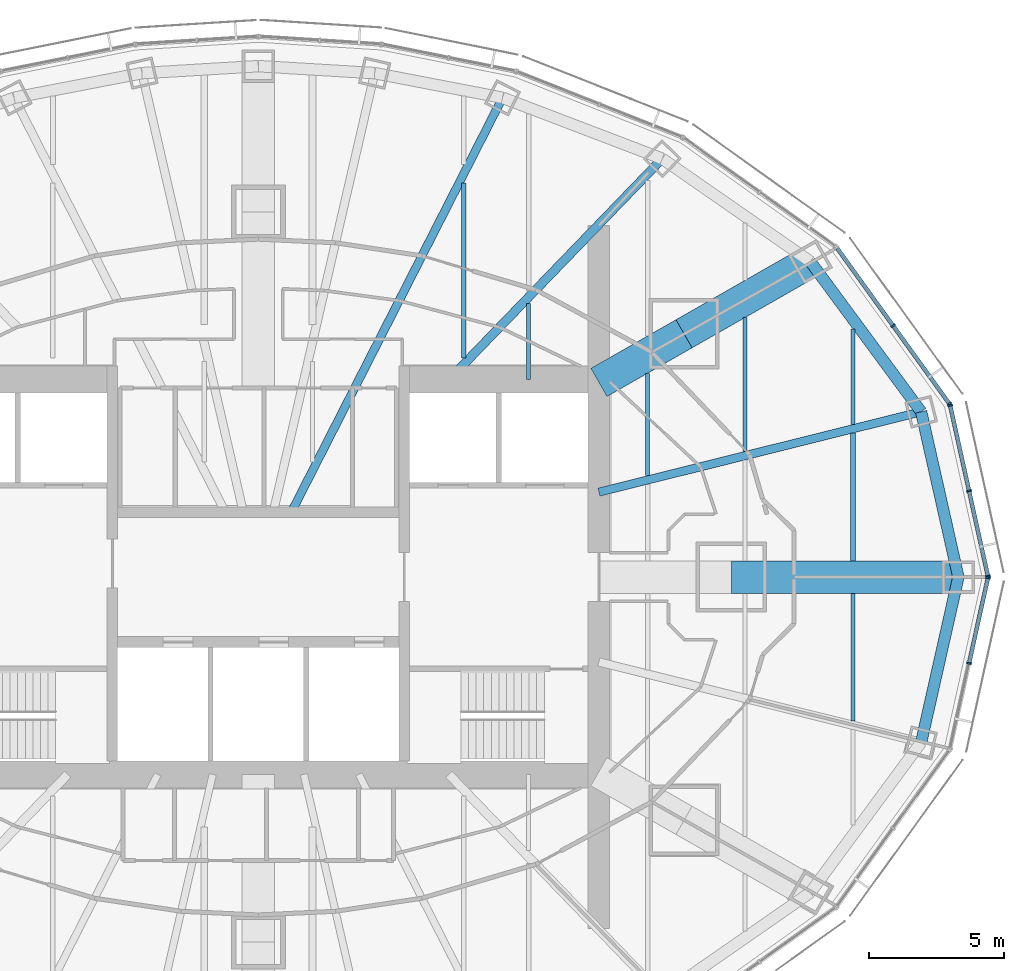
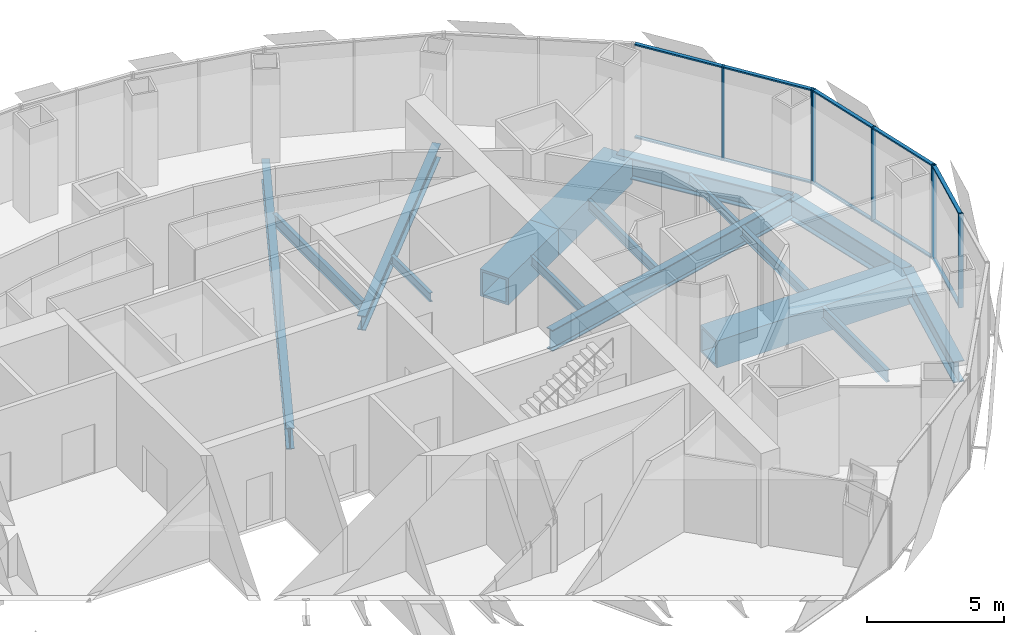
# One storey, part 7 of 17: 17 members, 16 beams, 3 elements without a shape of their own.
"""IFC4 building model written with IfcOpenShell, lengths in metres."""

from ifc_helpers import new_model, si_unit, direction, frame, origin, origin_2d, place, context, subcontext, project, spatial, rectangle, hollow_rectangle, i_section, extrude, material, material_profile, profile_set, type_object, element, aggregate, save


model = new_model("IFC4")

# Units and contexts
model_context = context("Model", 3, precision=1e-05, world=origin(), true_north=direction((0.0, 1.0)))
body_context = subcontext(model_context, "Body", "Model", "MODEL_VIEW")
ifc_project = project(units=[si_unit("LENGTHUNIT", "METRE"), si_unit("AREAUNIT", "SQUARE_METRE"), si_unit("VOLUMEUNIT", "CUBIC_METRE"), si_unit("PLANEANGLEUNIT", "RADIAN"), si_unit("MASSUNIT", "GRAM", prefix="KILO")], contexts=[model_context])

# Site, building, storey
site_placement = place(None, origin())
site = spatial("IfcSite", under=ifc_project, at=site_placement, CompositionType="ELEMENT")
building_placement = place(site_placement, origin())
building = spatial("IfcBuilding", under=site, at=building_placement, Name="Lantaw Convention Tower", CompositionType="ELEMENT")
storey_placement = place(building_placement, frame((0.0, 0.0, 203.199951171875)))
storey = spatial("IfcBuildingStorey", under=building, at=storey_placement, Name="L47", CompositionType="ELEMENT", Elevation=203.199951171875)

# Beams
ifc_material_1 = material(Name="Steel ASTM A992", Category="steel")
ifc_material_profile_1 = material_profile(ifc_material_1, i_section(OverallWidth=0.424072265625, OverallDepth=0.947509765625, WebThickness=0.02392578125, FlangeThickness=0.042724609375, FilletRadius=0.012451171875, at=origin_2d()), Name="W36X302")
ifc_profile_set_1 = profile_set([ifc_material_profile_1], Name="Steel ASTM A992")
beam_type_1 = type_object("IfcBeamType", Name="Beam BC W36X302", PredefinedType="SPANDREL", material=ifc_profile_set_1)
beam_1_placement = place(storey_placement, frame((25.89990234375, 0.0, -0.623779296875), z_axis=(-0.219857926596, 0.97553190215, 0.0), x_axis=(-0.97553190215, -0.219857926596, 0.0)))
element("IfcBeam", 1, at=beam_1_placement, inside=storey, type_object=beam_type_1, Name="Belt truss chord 1", PredefinedType="SPANDREL", context=body_context, shape_type="SweptSolid", body=[
    extrude(i_section(OverallWidth=0.424072265625, OverallDepth=0.947509765625, WebThickness=0.02392578125, FlangeThickness=0.042724609375, FilletRadius=0.012451171875, at=origin_2d()), origin(), (0.0, 0.0, 1.0), 6.267333984375),
])
beam_2_placement = place(storey_placement, frame((24.52197265625, 6.114013671875, -0.623779296875), z_axis=(-0.593639188853, 0.804731329984, 0.0), x_axis=(-0.804731329984, -0.593639188853, 0.0)))
element("IfcBeam", 2, at=beam_2_placement, inside=storey, type_object=beam_type_1, Name="Belt truss chord 2", PredefinedType="SPANDREL", context=body_context, shape_type="SweptSolid", body=[
    extrude(i_section(OverallWidth=0.424072265625, OverallDepth=0.947509765625, WebThickness=0.02392578125, FlangeThickness=0.042724609375, FilletRadius=0.012451171875, at=origin_2d()), origin(), (0.0, 0.0, 1.0), 6.904541015625),
])
beam_3_placement = place(storey_placement, frame((24.52197265625, -6.114013671875, -0.623779296875), z_axis=(0.219857926596, 0.97553190215, 0.0), x_axis=(-0.97553190215, 0.219857926596, 0.0)))
element("IfcBeam", 3, at=beam_3_placement, inside=storey, type_object=beam_type_1, Name="Belt truss chord 24", PredefinedType="SPANDREL", context=body_context, shape_type="SweptSolid", body=[
    extrude(i_section(OverallWidth=0.424072265625, OverallDepth=0.947509765625, WebThickness=0.02392578125, FlangeThickness=0.042724609375, FilletRadius=0.012451171875, at=origin_2d()), origin(), (0.0, 0.0, 1.0), 6.267333984375),
])
ifc_material_2 = material(Name="Steel EN 10025-3 S460N", Category="steel")
ifc_material_profile_2 = material_profile(ifc_material_2, hollow_rectangle(XDim=1.199951171875, YDim=1.199951171875, WallThickness=0.10009765625, at=origin_2d()), Name="BOX1200X100")
ifc_profile_set_2 = profile_set([ifc_material_profile_2], Name="Steel EN 10025-3 S460N")
beam_type_2 = type_object("IfcBeamType", Name="Beam G BOX1200X100", PredefinedType="BEAM", material=ifc_profile_set_2)
beam_4_placement = place(storey_placement, frame((17.5, 0.0, -0.75), z_axis=(1.0, 0.0, 0.0), x_axis=(0.0, 1.0, 0.0)))
element("IfcBeam", 4, at=beam_4_placement, inside=storey, type_object=beam_type_2, Name="Floor girder on ray 1", PredefinedType="BEAM", context=body_context, shape_type="SweptSolid", body=[
    extrude(hollow_rectangle(XDim=1.199951171875, YDim=1.199951171875, WallThickness=0.10009765625, at=origin_2d()), origin(), (0.0, 0.0, 1.0), 8.39990234375),
])
beam_5_placement = place(storey_placement, frame((15.75, 9.0, -0.75), z_axis=(0.868237559289, 0.496148708192, 0.0), x_axis=(-0.496148708192, 0.868237559289, 0.0)))
element("IfcBeam", 5, at=beam_5_placement, inside=storey, type_object=beam_type_2, Name="Floor girder on ray 3", PredefinedType="BEAM", context=body_context, shape_type="SweptSolid", body=[
    extrude(hollow_rectangle(XDim=1.199951171875, YDim=1.199951171875, WallThickness=0.10009765625, at=origin_2d()), origin(), (0.0, 0.0, 1.0), 5.38232421875),
])
ifc_material_profile_3 = material_profile(ifc_material_1, i_section(OverallWidth=0.32763671875, OverallDepth=0.64013671875, WebThickness=0.01904296875, FlangeThickness=0.033935546875, FilletRadius=0.0126953125, at=origin_2d()), Name="W24X176")
ifc_profile_set_3 = profile_set([ifc_material_profile_3], Name="Steel ASTM A992")
beam_type_3 = type_object("IfcBeamType", Name="Beam G W24X176", PredefinedType="BEAM", material=ifc_profile_set_3)
beam_6_placement = place(storey_placement, frame((7.049560546875, 7.300048828125, -0.469970703125), z_axis=(0.694657766726, 0.719340383356, 0.0), x_axis=(-0.719340383356, 0.694657766726, 0.0)))
element("IfcBeam", 6, at=beam_6_placement, inside=storey, type_object=beam_type_3, Name="Floor girder on ray 4", PredefinedType="BEAM", context=body_context, shape_type="SweptSolid", body=[
    extrude(i_section(OverallWidth=0.32763671875, OverallDepth=0.64013671875, WebThickness=0.01904296875, FlangeThickness=0.033935546875, FilletRadius=0.0126953125, at=origin_2d()), origin(), (0.0, 0.0, 1.0), 11.364990234375),
])
ifc_material_profile_4 = material_profile(ifc_material_1, i_section(OverallWidth=0.307373046875, OverallDepth=0.9423828125, WebThickness=0.022216796875, FlangeThickness=0.039794921875, FilletRadius=0.0126953125, at=origin_2d()), Name="W36X232")
ifc_profile_set_4 = profile_set([ifc_material_profile_4], Name="Steel ASTM A992")
beam_type_4 = type_object("IfcBeamType", Name="Beam G W36X232", PredefinedType="BEAM", material=ifc_profile_set_4)
beam_7_placement = place(storey_placement, frame((12.60009765625, 3.1416015625, -0.62109375), z_axis=(0.970296589314, 0.241918434119, 0.0), x_axis=(-0.241918434119, 0.970296589314, 0.0)))
element("IfcBeam", 7, at=beam_7_placement, inside=storey, type_object=beam_type_4, Name="Floor girder on ray 2", PredefinedType="BEAM", context=body_context, shape_type="SweptSolid", body=[
    extrude(i_section(OverallWidth=0.307373046875, OverallDepth=0.9423828125, WebThickness=0.022216796875, FlangeThickness=0.039794921875, FilletRadius=0.0126953125, at=origin_2d()), origin(), (0.0, 0.0, 1.0), 12.286865234375),
])
beam_8_placement = place(storey_placement, frame((1.222900390625, 2.39990234375, -0.62109375), z_axis=(0.453988481463, 0.891007552549, 0.0), x_axis=(-0.891007552549, 0.453988481463, 0.0)))
element("IfcBeam", 8, at=beam_8_placement, inside=storey, type_object=beam_type_4, Name="Floor girder on ray 5", PredefinedType="BEAM", context=body_context, shape_type="SweptSolid", body=[
    extrude(i_section(OverallWidth=0.307373046875, OverallDepth=0.9423828125, WebThickness=0.022216796875, FlangeThickness=0.039794921875, FilletRadius=0.0126953125, at=origin_2d()), origin(), (0.0, 0.0, 1.0), 17.20703125),
])
ifc_material_profile_5 = material_profile(ifc_material_1, i_section(OverallWidth=0.140380859375, OverallDepth=0.40380859375, WebThickness=0.007080078125, FlangeThickness=0.01123046875, FilletRadius=0.01025390625, at=origin_2d()), Name="W16X31")
ifc_profile_set_5 = profile_set([ifc_material_profile_5], Name="Steel ASTM A992")
beam_type_5 = type_object("IfcBeamType", Name="Beam J W16X31", PredefinedType="JOIST", material=ifc_profile_set_5)
beam_9_placement = place(storey_placement, frame((10.0, 7.300048828125, -0.351806640625), z_axis=(0.0, 1.0, 0.0), x_axis=(-1.0, 0.0, 0.0)))
element("IfcBeam", 9, at=beam_9_placement, inside=storey, type_object=beam_type_5, Name="Floor joist", PredefinedType="JOIST", context=body_context, shape_type="SweptSolid", body=[
    extrude(i_section(OverallWidth=0.140380859375, OverallDepth=0.40380859375, WebThickness=0.007080078125, FlangeThickness=0.01123046875, FilletRadius=0.01025390625, at=origin_2d()), origin(), (0.0, 0.0, 1.0), 2.8193359375),
])
beam_10_placement = place(storey_placement, frame((14.39990234375, 3.748779296875, -0.351806640625), z_axis=(0.0, 1.0, 0.0), x_axis=(-1.0, 0.0, 0.0)))
element("IfcBeam", 10, at=beam_10_placement, inside=storey, type_object=beam_type_5, Name="Floor joist", PredefinedType="JOIST", context=body_context, shape_type="SweptSolid", body=[
    extrude(i_section(OverallWidth=0.140380859375, OverallDepth=0.40380859375, WebThickness=0.007080078125, FlangeThickness=0.01123046875, FilletRadius=0.01025390625, at=origin_2d()), origin(), (0.0, 0.0, 1.0), 3.788818359375),
])
beam_11_placement = place(storey_placement, frame((22.0, 5.6435546875, -0.351806640625), z_axis=(0.0, 1.0, 0.0), x_axis=(-1.0, 0.0, 0.0)))
element("IfcBeam", 11, at=beam_11_placement, inside=storey, type_object=beam_type_5, Name="Floor joist", PredefinedType="JOIST", context=body_context, shape_type="SweptSolid", body=[
    extrude(i_section(OverallWidth=0.140380859375, OverallDepth=0.40380859375, WebThickness=0.007080078125, FlangeThickness=0.01123046875, FilletRadius=0.01025390625, at=origin_2d()), origin(), (0.0, 0.0, 1.0), 3.531982421875),
])
ifc_material_profile_6 = material_profile(ifc_material_1, i_section(OverallWidth=0.15234375, OverallDepth=0.449462890625, WebThickness=0.007568359375, FlangeThickness=0.0107421875, FilletRadius=0.01025390625, at=origin_2d()), Name="W18X35")
ifc_profile_set_6 = profile_set([ifc_material_profile_6], Name="Steel ASTM A992")
beam_type_6 = type_object("IfcBeamType", Name="Beam J W18X35", PredefinedType="JOIST", material=ifc_profile_set_6)
beam_12_placement = place(storey_placement, frame((18.0, 4.646240234375, -0.374755859375), z_axis=(0.0, 1.0, 0.0), x_axis=(-1.0, 0.0, 0.0)))
element("IfcBeam", 12, at=beam_12_placement, inside=storey, type_object=beam_type_6, Name="Floor joist", PredefinedType="JOIST", context=body_context, shape_type="SweptSolid", body=[
    extrude(i_section(OverallWidth=0.15234375, OverallDepth=0.449462890625, WebThickness=0.007568359375, FlangeThickness=0.0107421875, FilletRadius=0.01025390625, at=origin_2d()), origin(), (0.0, 0.0, 1.0), 4.948486328125),
])
ifc_material_profile_7 = material_profile(ifc_material_1, i_section(OverallWidth=0.1904296875, OverallDepth=0.457275390625, WebThickness=0.009033203125, FlangeThickness=0.014404296875, FilletRadius=0.01025390625, at=origin_2d()), Name="W18X50")
ifc_profile_set_7 = profile_set([ifc_material_profile_7], Name="Steel ASTM A992")
beam_type_7 = type_object("IfcBeamType", Name="Beam J W18X50", PredefinedType="JOIST", material=ifc_profile_set_7)
beam_13_placement = place(storey_placement, frame((22.0, 0.60009765625, -0.378662109375), z_axis=(0.0, 1.0, 0.0), x_axis=(-1.0, 0.0, 0.0)))
element("IfcBeam", 13, at=beam_13_placement, inside=storey, type_object=beam_type_7, Name="Floor joist", PredefinedType="JOIST", context=body_context, shape_type="SweptSolid", body=[
    extrude(i_section(OverallWidth=0.1904296875, OverallDepth=0.457275390625, WebThickness=0.009033203125, FlangeThickness=0.014404296875, FilletRadius=0.01025390625, at=origin_2d()), origin(), (0.0, 0.0, 1.0), 4.726806640625),
])
ifc_material_profile_8 = material_profile(ifc_material_1, i_section(OverallWidth=0.1650390625, OverallDepth=0.52587890625, WebThickness=0.0087890625, FlangeThickness=0.011474609375, FilletRadius=0.0126953125, at=origin_2d()), Name="W21X44")
ifc_profile_set_8 = profile_set([ifc_material_profile_8], Name="Steel ASTM A992")
beam_type_8 = type_object("IfcBeamType", Name="Beam J W21X44", PredefinedType="JOIST", material=ifc_profile_set_8)
beam_14_placement = place(storey_placement, frame((7.60009765625, 8.10595703125, -0.412841796875), z_axis=(0.0, 1.0, 0.0), x_axis=(-1.0, 0.0, 0.0)))
element("IfcBeam", 14, at=beam_14_placement, inside=storey, type_object=beam_type_8, Name="Floor joist", PredefinedType="JOIST", context=body_context, shape_type="SweptSolid", body=[
    extrude(i_section(OverallWidth=0.1650390625, OverallDepth=0.52587890625, WebThickness=0.0087890625, FlangeThickness=0.011474609375, FilletRadius=0.0126953125, at=origin_2d()), origin(), (0.0, 0.0, 1.0), 6.471435546875),
])
beam_15_placement = place(storey_placement, frame((22.0, -5.326904296875, -0.412841796875), z_axis=(0.0, 1.0, 0.0), x_axis=(-1.0, 0.0, 0.0)))
element("IfcBeam", 15, at=beam_15_placement, inside=storey, type_object=beam_type_8, Name="Floor joist", PredefinedType="JOIST", context=body_context, shape_type="SweptSolid", body=[
    extrude(i_section(OverallWidth=0.1650390625, OverallDepth=0.52587890625, WebThickness=0.0087890625, FlangeThickness=0.011474609375, FilletRadius=0.0126953125, at=origin_2d()), origin(), (0.0, 0.0, 1.0), 4.726806640625),
])
ifc_material_profile_9 = material_profile(ifc_material_2, hollow_rectangle(XDim=1.199951171875, YDim=1.199951171875, WallThickness=0.10009765625, at=origin_2d()), Name="BOX1200X100")
ifc_profile_set_9 = profile_set([ifc_material_profile_9], Name="Steel EN 10025-3 S460N")
beam_type_9 = type_object("IfcBeamType", Name="Beam OC BOX1200X100", PredefinedType="BEAM", material=ifc_profile_set_9)
beam_16_placement = place(storey_placement, frame((12.60009765625, 7.199951171875, -0.75), z_axis=(0.868230718294, 0.496160679428, 0.0), x_axis=(-0.496160679428, 0.868230718294, 0.0)))
element("IfcBeam", 16, at=beam_16_placement, inside=storey, type_object=beam_type_9, Name="Outrigger chord on ray 3", PredefinedType="BEAM", context=body_context, shape_type="SweptSolid", body=[
    extrude(hollow_rectangle(XDim=1.199951171875, YDim=1.199951171875, WallThickness=0.10009765625, at=origin_2d()), origin(), (0.0, 0.0, 1.0), 3.6279296875),
])

# Curtain wall, members
ifc_material_3 = material(Name="Aluminium framed curtain wall", Category="aluminium")
curtain_wall_type = type_object("IfcCurtainWallType", Name="Office curtain wall high rise, pale aluminium", PredefinedType="USERDEFINED", material=ifc_material_3)
curtain_wall_1_placement = place(storey_placement, origin())
curtain_wall_1 = element("IfcCurtainWall", 17, at=curtain_wall_1_placement, inside=storey, type_object=curtain_wall_type, Name="Office curtain wall high rise, pale aluminium L47", ObjectType="UNITISED CURTAIN WALL", PredefinedType="USERDEFINED")
ifc_material_4 = material(Name="Aluminium 6063-T6", Category="aluminium")
ifc_material_profile_10 = material_profile(ifc_material_4, rectangle(XDim=0.179931640625, YDim=0.06494140625, at=origin_2d()), Name="CW-O2 mullion 65x180")
ifc_profile_set_10 = profile_set([ifc_material_profile_10], Name="Aluminium 6063-T6")
member_type_1 = type_object("IfcMemberType", Name="CW-O2 mullion 65x180", PredefinedType="MULLION", material=ifc_profile_set_10)
member_1_placement = place(storey_placement, frame((26.992919921875, 0.03173828125, -0.14990234375), z_axis=(0.0, 0.0, 1.0), x_axis=(-0.976417396437, -0.215891333626, 0.0)))
member_1 = element("IfcMember", 18, at=member_1_placement, type_object=member_type_1, Name="CW-O2 mullion 1", PredefinedType="MULLION", context=body_context, shape_type="SweptSolid", body=[
    extrude(rectangle(XDim=0.179931640625, YDim=0.06494140625, at=origin_2d()), origin(), (0.0, 0.0, 1.0), 4.199951171875),
])
member_2_placement = place(storey_placement, frame((26.294677734375, 3.190185546875, -0.14990234375), z_axis=(0.0, 0.0, 1.0), x_axis=(-0.976417396437, -0.215891333626, 0.0)))
member_2 = element("IfcMember", 19, at=member_2_placement, type_object=member_type_1, Name="CW-O2 mullion 2", PredefinedType="MULLION", context=body_context, shape_type="SweptSolid", body=[
    extrude(rectangle(XDim=0.179931640625, YDim=0.06494140625, at=origin_2d()), origin(), (0.0, 0.0, 1.0), 4.199951171875),
])
member_3_placement = place(storey_placement, frame((25.596435546875, 6.348388671875, -0.14990234375), z_axis=(0.0, 0.0, 1.0), x_axis=(-0.976417396437, -0.215891333626, 0.0)))
member_3 = element("IfcMember", 20, at=member_3_placement, type_object=member_type_1, Name="CW-O2 mullion 3", PredefinedType="MULLION", context=body_context, shape_type="SweptSolid", body=[
    extrude(rectangle(XDim=0.179931640625, YDim=0.06494140625, at=origin_2d()), origin(), (0.0, 0.0, 1.0), 4.199951171875),
])

curtain_wall_2_placement = place(storey_placement, origin())
curtain_wall_2 = element("IfcCurtainWall", 21, at=curtain_wall_2_placement, inside=storey, type_object=curtain_wall_type, Name="Office curtain wall high rise, pale aluminium L47", ObjectType="UNITISED CURTAIN WALL", PredefinedType="USERDEFINED")
member_4_placement = place(storey_placement, frame((25.5703125, 6.406494140625, -0.14990234375), z_axis=(0.0, 0.0, 1.0), x_axis=(-0.810919559405, -0.585157643865, 0.0)))
member_4 = element("IfcMember", 22, at=member_4_placement, type_object=member_type_1, Name="CW-O2 mullion 1", PredefinedType="MULLION", context=body_context, shape_type="SweptSolid", body=[
    extrude(rectangle(XDim=0.179931640625, YDim=0.06494140625, at=origin_2d()), origin(), (0.0, 0.0, 1.0), 4.199951171875),
])
member_5_placement = place(storey_placement, frame((23.483642578125, 9.298095703125, -0.14990234375), z_axis=(0.0, 0.0, 1.0), x_axis=(-0.810919559405, -0.585157643865, 0.0)))
member_5 = element("IfcMember", 23, at=member_5_placement, type_object=member_type_1, Name="CW-O2 mullion 2", PredefinedType="MULLION", context=body_context, shape_type="SweptSolid", body=[
    extrude(rectangle(XDim=0.179931640625, YDim=0.06494140625, at=origin_2d()), origin(), (0.0, 0.0, 1.0), 4.199951171875),
])

curtain_wall_3_placement = place(storey_placement, origin())
curtain_wall_3 = element("IfcCurtainWall", 24, at=curtain_wall_3_placement, inside=storey, type_object=curtain_wall_type, Name="Office curtain wall high rise, pale aluminium L47", ObjectType="UNITISED CURTAIN WALL", PredefinedType="USERDEFINED")
member_6_placement = place(storey_placement, frame((26.294677734375, -3.190185546875, -0.14990234375), z_axis=(0.0, 0.0, 1.0), x_axis=(-0.976417396437, 0.215891333626, 0.0)))
member_6 = element("IfcMember", 25, at=member_6_placement, type_object=member_type_1, Name="CW-O2 mullion 2", PredefinedType="MULLION", context=body_context, shape_type="SweptSolid", body=[
    extrude(rectangle(XDim=0.179931640625, YDim=0.06494140625, at=origin_2d()), origin(), (0.0, 0.0, 1.0), 4.199951171875),
])
member_7_placement = place(storey_placement, frame((26.992919921875, -0.03173828125, -0.14990234375), z_axis=(0.0, 0.0, 1.0), x_axis=(-0.976417396437, 0.215891333626, 0.0)))
member_7 = element("IfcMember", 26, at=member_7_placement, type_object=member_type_1, Name="CW-O2 mullion 3", PredefinedType="MULLION", context=body_context, shape_type="SweptSolid", body=[
    extrude(rectangle(XDim=0.179931640625, YDim=0.06494140625, at=origin_2d()), origin(), (0.0, 0.0, 1.0), 4.199951171875),
])

# Member
ifc_material_profile_11 = material_profile(ifc_material_4, rectangle(XDim=0.14990234375, YDim=0.06494140625, at=origin_2d()), Name="CW-O2 transom 65x150")
ifc_profile_set_11 = profile_set([ifc_material_profile_11], Name="Aluminium 6063-T6")
member_type_2 = type_object("IfcMemberType", Name="CW-O2 transom 65x150", PredefinedType="USERDEFINED", material=ifc_profile_set_11)
member_8_placement = place(storey_placement, frame((26.986083984375, 0.0634765625, -0.117431640625), z_axis=(-0.215894607042, 0.976416672661, 0.0), x_axis=(-0.976416672661, -0.215894607042, 0.0)))
member_8 = element("IfcMember", 27, at=member_8_placement, type_object=member_type_2, Name="CW-O2 transom 1.1", ObjectType="TRANSOM", PredefinedType="USERDEFINED", context=body_context, shape_type="SweptSolid", body=[
    extrude(rectangle(XDim=0.14990234375, YDim=0.06494140625, at=origin_2d()), origin(), (0.0, 0.0, 1.0), 3.169677734375),
])

member_9_placement = place(storey_placement, frame((26.986083984375, 0.0634765625, 4.017578125), z_axis=(-0.215894607042, 0.976416672661, 0.0), x_axis=(-0.976416672661, -0.215894607042, 0.0)))
member_9 = element("IfcMember", 28, at=member_9_placement, type_object=member_type_2, Name="CW-O2 transom 1.2", ObjectType="TRANSOM", PredefinedType="USERDEFINED", context=body_context, shape_type="SweptSolid", body=[
    extrude(rectangle(XDim=0.14990234375, YDim=0.06494140625, at=origin_2d()), origin(), (0.0, 0.0, 1.0), 3.169677734375),
])

member_10_placement = place(storey_placement, frame((26.28759765625, 3.2216796875, -0.117431640625), z_axis=(-0.215894607042, 0.976416672661, 0.0), x_axis=(-0.976416672661, -0.215894607042, 0.0)))
member_10 = element("IfcMember", 29, at=member_10_placement, type_object=member_type_2, Name="CW-O2 transom 2.1", ObjectType="TRANSOM", PredefinedType="USERDEFINED", context=body_context, shape_type="SweptSolid", body=[
    extrude(rectangle(XDim=0.14990234375, YDim=0.06494140625, at=origin_2d()), origin(), (0.0, 0.0, 1.0), 3.169677734375),
])

member_11_placement = place(storey_placement, frame((26.28759765625, 3.2216796875, 4.017578125), z_axis=(-0.215894607042, 0.976416672661, 0.0), x_axis=(-0.976416672661, -0.215894607042, 0.0)))
member_11 = element("IfcMember", 30, at=member_11_placement, type_object=member_type_2, Name="CW-O2 transom 2.2", ObjectType="TRANSOM", PredefinedType="USERDEFINED", context=body_context, shape_type="SweptSolid", body=[
    extrude(rectangle(XDim=0.14990234375, YDim=0.06494140625, at=origin_2d()), origin(), (0.0, 0.0, 1.0), 3.169677734375),
])

aggregate(curtain_wall_1, [member_1, member_2, member_3, member_8, member_9, member_10, member_11])

member_12_placement = place(storey_placement, frame((25.55126953125, 6.432861328125, -0.117431640625), z_axis=(-0.585169685931, 0.810910869743, 0.0), x_axis=(-0.810910869743, -0.585169685931, 0.0)))
member_12 = element("IfcMember", 31, at=member_12_placement, type_object=member_type_2, Name="CW-O2 transom 1.1", ObjectType="TRANSOM", PredefinedType="USERDEFINED", context=body_context, shape_type="SweptSolid", body=[
    extrude(rectangle(XDim=0.14990234375, YDim=0.06494140625, at=origin_2d()), origin(), (0.0, 0.0, 1.0), 3.500732421875),
])

member_13_placement = place(storey_placement, frame((25.55126953125, 6.432861328125, 4.017578125), z_axis=(-0.585169685931, 0.810910869743, 0.0), x_axis=(-0.810910869743, -0.585169685931, 0.0)))
member_13 = element("IfcMember", 32, at=member_13_placement, type_object=member_type_2, Name="CW-O2 transom 1.2", ObjectType="TRANSOM", PredefinedType="USERDEFINED", context=body_context, shape_type="SweptSolid", body=[
    extrude(rectangle(XDim=0.14990234375, YDim=0.06494140625, at=origin_2d()), origin(), (0.0, 0.0, 1.0), 3.500732421875),
])

member_14_placement = place(storey_placement, frame((23.464599609375, 9.324462890625, -0.117431640625), z_axis=(-0.585123825205, 0.810943961798, 0.0), x_axis=(-0.810943961798, -0.585123825205, 0.0)))
member_14 = element("IfcMember", 33, at=member_14_placement, type_object=member_type_2, Name="CW-O2 transom 2.1", ObjectType="TRANSOM", PredefinedType="USERDEFINED", context=body_context, shape_type="SweptSolid", body=[
    extrude(rectangle(XDim=0.14990234375, YDim=0.06494140625, at=origin_2d()), origin(), (0.0, 0.0, 1.0), 3.500732421875),
])

member_15_placement = place(storey_placement, frame((23.464599609375, 9.324462890625, 4.017578125), z_axis=(-0.585123825205, 0.810943961798, 0.0), x_axis=(-0.810943961798, -0.585123825205, 0.0)))
member_15 = element("IfcMember", 34, at=member_15_placement, type_object=member_type_2, Name="CW-O2 transom 2.2", ObjectType="TRANSOM", PredefinedType="USERDEFINED", context=body_context, shape_type="SweptSolid", body=[
    extrude(rectangle(XDim=0.14990234375, YDim=0.06494140625, at=origin_2d()), origin(), (0.0, 0.0, 1.0), 3.500732421875),
])

aggregate(curtain_wall_2, [member_4, member_5, member_12, member_13, member_14, member_15])

member_16_placement = place(storey_placement, frame((26.3017578125, -3.158447265625, -0.117431640625), z_axis=(0.215894607042, 0.976416672661, 0.0), x_axis=(-0.976416672661, 0.215894607042, 0.0)))
member_16 = element("IfcMember", 35, at=member_16_placement, type_object=member_type_2, Name="CW-O2 transom 2.1", ObjectType="TRANSOM", PredefinedType="USERDEFINED", context=body_context, shape_type="SweptSolid", body=[
    extrude(rectangle(XDim=0.14990234375, YDim=0.06494140625, at=origin_2d()), origin(), (0.0, 0.0, 1.0), 3.169677734375),
])

member_17_placement = place(storey_placement, frame((26.3017578125, -3.158447265625, 4.017578125), z_axis=(0.215894607042, 0.976416672661, 0.0), x_axis=(-0.976416672661, 0.215894607042, 0.0)))
member_17 = element("IfcMember", 36, at=member_17_placement, type_object=member_type_2, Name="CW-O2 transom 2.2", ObjectType="TRANSOM", PredefinedType="USERDEFINED", context=body_context, shape_type="SweptSolid", body=[
    extrude(rectangle(XDim=0.14990234375, YDim=0.06494140625, at=origin_2d()), origin(), (0.0, 0.0, 1.0), 3.169677734375),
])

aggregate(curtain_wall_3, [member_6, member_7, member_16, member_17])

save(model, "model.ifc")
